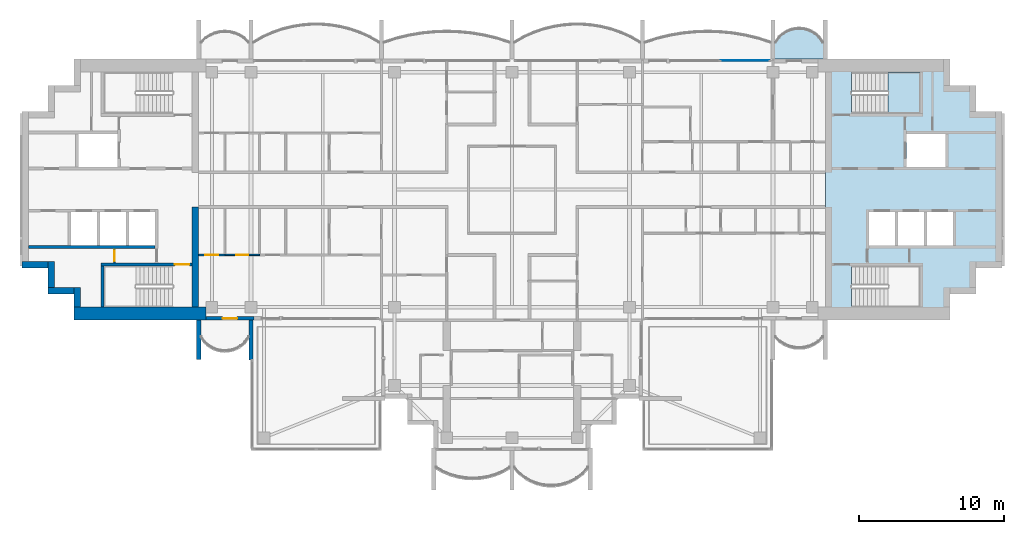
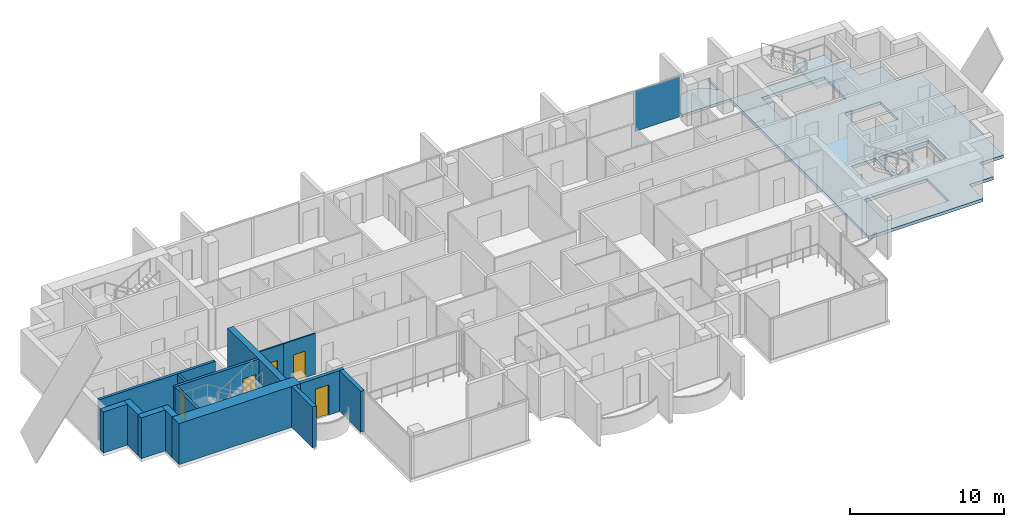
# One storey, part 6 of 17: 15 walls, 5 doors, 3 slabs, 1 plate, 5 openings, 2 elements without a shape of their own.
"""IFC4 building model written with IfcOpenShell, lengths in metres."""

from ifc_helpers import new_model, si_unit, direction, frame, frame_2d, origin, origin_2d, place, context, subcontext, project, spatial, polyline, rectangle, outline, extrude, material, layer, layer_set, type_object, element, fill, aggregate, save


model = new_model("IFC4")

# Units and contexts
model_context = context("Model", 3, precision=1e-05, world=origin(), true_north=direction((0.0, 1.0)))
body_context = subcontext(model_context, "Body", "Model", "MODEL_VIEW")
ifc_project = project(units=[si_unit("LENGTHUNIT", "METRE"), si_unit("AREAUNIT", "SQUARE_METRE"), si_unit("VOLUMEUNIT", "CUBIC_METRE"), si_unit("PLANEANGLEUNIT", "RADIAN"), si_unit("MASSUNIT", "GRAM", prefix="KILO")], contexts=[model_context])

# Site, building, storey
site_placement = place(None, origin())
site = spatial("IfcSite", under=ifc_project, at=site_placement, CompositionType="ELEMENT")
building_placement = place(site_placement, origin())
building = spatial("IfcBuilding", under=site, at=building_placement, Name="Perihelion Cross Residences", CompositionType="ELEMENT")
storey_placement = place(building_placement, frame((0.0, 0.0, 278.0)))
storey = spatial("IfcBuildingStorey", under=building, at=storey_placement, Name="L71", CompositionType="ELEMENT", Elevation=278.0)

# Slab
ifc_material_1 = material(Name="Concrete C40/50", Category="concrete")
ifc_layer_1 = layer(ifc_material_1, 0.199951171875)
ifc_layer_set_1 = layer_set([ifc_layer_1], Name="Balcony slab 200")
slab_type_1 = type_object("IfcSlabType", Name="Balcony slab 200", PredefinedType="FLOOR", material=ifc_layer_set_1)
slab_1_placement = place(storey_placement, frame((0.0, 0.0, -0.199951171875)))
element("IfcSlab", 1, at=slab_1_placement, inside=storey, type_object=slab_type_1, Name="Slab BK1 L71 east side north bay 1 balcony", PredefinedType="FLOOR", context=body_context, shape_type="SweptSolid", body=[
    extrude(outline(polyline([(21.60009765625, 9.0), (18.0, 9.0), (18.0, 11.699951171875), (18.14990234375, 11.699951171875), (18.14990234375, 10.199951171875), (18.425048828125, 10.568603515625), (18.699951171875, 10.806396484375), (18.97509765625, 10.96875), (19.25, 11.07568359375), (19.52490234375, 11.136962890625), (19.800048828125, 11.156982421875), (20.074951171875, 11.136962890625), (20.35009765625, 11.07568359375), (20.625, 10.96875), (20.89990234375, 10.806396484375), (21.175048828125, 10.568603515625), (21.449951171875, 10.199951171875), (21.449951171875, 11.699951171875), (21.60009765625, 11.699951171875), (21.60009765625, 9.0)])), origin(), (0.0, 0.0, 1.0), 0.199951171875),
])

# Curtain wall, plate
ifc_material_2 = material(Name="Bronze anodised aluminium, tinted glazing", Category="aluminium")
curtain_wall_type = type_object("IfcCurtainWallType", Name="CW1", PredefinedType="NOTDEFINED", material=ifc_material_2)
curtain_wall_placement = place(storey_placement, origin())
curtain_wall = element("IfcCurtainWall", 2, at=curtain_wall_placement, inside=storey, type_object=curtain_wall_type, Name="Curtain wall CW1 L71 east side north bay 2", PredefinedType="NOTDEFINED")
ifc_material_3 = material(Name="Tinted laminated glass", Category="glass")
ifc_layer_2 = layer(ifc_material_3, 0.028076171875)
ifc_layer_set_2 = layer_set([ifc_layer_2], Name="CW1 panel")
plate_type = type_object("IfcPlateType", Name="CW1 panel", PredefinedType="CURTAIN_PANEL", material=ifc_layer_set_2)
plate_placement = place(storey_placement, frame((16.06005859375, 8.89990234375, 0.0), z_axis=(0.0, 0.0, 1.0), x_axis=(-1.0, 0.0, 0.0)))
plate = element("IfcPlate", 3, at=plate_placement, type_object=plate_type, Name="CW1 panel 1", PredefinedType="CURTAIN_PANEL", context=body_context, shape_type="SweptSolid", body=[
    extrude(rectangle(XDim=3.360107421875, YDim=0.028076171875, at=origin_2d()), origin(), (0.0, 0.0, 1.0), 3.18994140625),
])
aggregate(curtain_wall, [plate])

# Slab
ifc_material_4 = material(Name="Concrete C40/50", Category="concrete")
ifc_layer_3 = layer(ifc_material_4, 0.25)
ifc_layer_set_3 = layer_set([ifc_layer_3], Name="Core floor slab 250")
slab_type_2 = type_object("IfcSlabType", Name="Core floor slab 250", PredefinedType="FLOOR", material=ifc_layer_set_3)
slab_2_placement = place(storey_placement, frame((0.0, 0.0, -0.25)))
element("IfcSlab", 4, at=slab_2_placement, inside=storey, type_object=slab_type_2, Name="East core floor slab", PredefinedType="FLOOR", context=body_context, shape_type="SweptSolid", body=[
    extrude(outline(polyline([(30.199951171875, 7.199951171875), (32.0, 7.199951171875), (32.0, 5.39990234375), (33.800048828125, 5.39990234375), (33.800048828125, -5.39990234375), (32.0, -5.39990234375), (32.0, -7.199951171875), (30.199951171875, -7.199951171875), (30.199951171875, -9.0), (21.60009765625, -9.0), (21.60009765625, 9.0), (30.199951171875, 9.0), (30.199951171875, 7.199951171875)]), holes=[polyline([(28.14990234375, -8.10009765625), (28.14990234375, -5.25), (23.405029296875, -5.25), (23.405029296875, -8.10009765625), (28.14990234375, -8.10009765625)]), polyline([(24.60009765625, -1.550048828125), (24.60009765625, -3.85009765625), (26.39990234375, -3.85009765625), (26.39990234375, -1.550048828125), (24.60009765625, -1.550048828125)]), polyline([(26.60009765625, -1.550048828125), (26.60009765625, -3.85009765625), (28.39990234375, -3.85009765625), (28.39990234375, -1.550048828125), (26.60009765625, -1.550048828125)]), polyline([(28.60009765625, -3.85009765625), (30.39990234375, -3.85009765625), (30.39990234375, -1.550048828125), (28.60009765625, -1.550048828125), (28.60009765625, -3.85009765625)]), polyline([(27.199951171875, 3.85009765625), (27.199951171875, 1.550048828125), (29.89990234375, 1.550048828125), (29.89990234375, 3.85009765625), (27.199951171875, 3.85009765625)]), polyline([(23.405029296875, 5.25), (28.14990234375, 5.25), (28.14990234375, 8.10009765625), (23.405029296875, 8.10009765625), (23.405029296875, 5.25)])]), origin(), (0.0, 0.0, 1.0), 0.25),
])

# Stair, slab
ifc_material_5 = material(Name="Concrete C40/50", Category="concrete")
stair_type = type_object("IfcStairType", Name="Exit stair, half-turn", PredefinedType="HALF_TURN_STAIR", material=ifc_material_5)
stair_placement = place(storey_placement, origin())
stair = element("IfcStair", 5, at=stair_placement, inside=storey, type_object=stair_type, Name="L71 East core exit stair 1", PredefinedType="HALF_TURN_STAIR")
ifc_material_6 = material(Name="Concrete C40/50", Category="concrete")
ifc_layer_4 = layer(ifc_material_6, 0.199951171875)
ifc_layer_set_4 = layer_set([ifc_layer_4], Name="Exit stair landing 200")
slab_type_3 = type_object("IfcSlabType", Name="Exit stair landing 200", PredefinedType="LANDING", material=ifc_layer_set_4)
slab_3_placement = place(storey_placement, frame((0.0, 0.0, 1.550048828125)))
slab_3 = element("IfcSlab", 6, at=slab_3_placement, type_object=slab_type_3, Name="ST-E1 landing 1", PredefinedType="LANDING", context=body_context, shape_type="SweptSolid", body=[
    extrude(outline(polyline([(25.919921875, 5.25), (28.14990234375, 5.25), (28.14990234375, 8.10009765625), (25.919921875, 8.10009765625), (25.919921875, 5.25)])), origin(), (0.0, 0.0, 1.0), 0.199951171875),
])
aggregate(stair, [slab_3])

# Wall, opening, door
ifc_material_7 = material(Name="Concrete C30/37, bronze-clad", Category="concrete")
ifc_layer_5 = layer(ifc_material_7, 0.25)
ifc_layer_set_5 = layer_set([ifc_layer_5], Name="Bronze-clad pier wall 250")
wall_type_1 = type_object("IfcWallType", Name="Bronze-clad pier wall 250", PredefinedType="SOLIDWALL", material=ifc_layer_set_5)
wall_1_placement = place(storey_placement, frame((-21.10009765625, -8.875, 0.0), z_axis=(0.0, 0.0, 1.0), x_axis=(1.0, 0.0, 0.0)))
wall_1 = element("IfcWall", 7, at=wall_1_placement, inside=storey, type_object=wall_type_1, Name="Wall FW1 L71 west side south bay 1 pier", PredefinedType="SOLIDWALL", context=body_context, shape_type="SweptSolid", body=[
    extrude(rectangle(XDim=3.300048828125, YDim=0.25, at=frame_2d((1.64990234375, 0.0))), origin(), (0.0, 0.0, 1.0), 3.25),
])
opening_1_placement = place(wall_1_placement, frame((1.14990234375, 0.0, 0.0)))
opening_1 = element("IfcOpeningElement", 8, at=opening_1_placement, cuts=wall_1, Name="Opening L71.E07", PredefinedType="OPENING", context=body_context, shape_type="SweptSolid", body=[
    extrude(rectangle(XDim=1.0, YDim=2.39990234375, at=frame_2d((0.5, 1.199951171875))), frame((0.0, 0.135009765625, 0.0), z_axis=(0.0, -1.0, 0.0), x_axis=(1.0, 0.0, 0.0)), (0.0, 0.0, 1.0), 0.27001953125),
])
ifc_material_8 = material(Name="Bronze anodised aluminium, glazed", Category="aluminium")
door_type_1 = type_object("IfcDoorType", Name="Balcony door 1000 x 2400", OperationType="NOTDEFINED", PredefinedType="DOOR", material=ifc_material_8)
door_1_placement = place(opening_1_placement, origin())
door_1 = element("IfcDoor", 9, at=door_1_placement, inside=storey, type_object=door_type_1, Name="Door L71.E07 west side south bay 1", OperationType="SINGLE_SWING_LEFT", OverallHeight=2.39990234375, OverallWidth=1.0, PredefinedType="DOOR", context=body_context, shape_type="SweptSolid", body=[
    extrude(rectangle(XDim=1.0, YDim=2.39990234375, at=frame_2d((0.5, 1.199951171875))), frame((0.0, 0.02490234375, 0.0), z_axis=(0.0, -1.0, 0.0), x_axis=(1.0, 0.0, 0.0)), (0.0, 0.0, 1.0), 0.050048828125),
])
fill(opening_1, door_1)

# Walls
ifc_material_9 = material(Name="Concrete C60/75", Category="concrete")
ifc_layer_6 = layer(ifc_material_9, 0.449951171875)
ifc_layer_set_6 = layer_set([ifc_layer_6], Name="Core wall, inner 450")
wall_type_2 = type_object("IfcWallType", Name="Core wall, inner 450", PredefinedType="SHEAR", material=ifc_layer_set_6)
wall_2_placement = place(storey_placement, frame((-21.824951171875, -8.10009765625, 0.0), z_axis=(0.0, 0.0, 1.0), x_axis=(0.0, 1.0, 0.0)))
element("IfcWall", 10, at=wall_2_placement, inside=storey, type_object=wall_type_2, Name="West core core wall, inner", PredefinedType="SHEAR", context=body_context, shape_type="SweptSolid", body=[
    extrude(rectangle(XDim=6.900146484375, YDim=0.449951171875, at=frame_2d((3.4501953125, 0.0))), origin(), (0.0, 0.0, 1.0), 3.25),
])
ifc_material_10 = material(Name="Concrete C60/75", Category="concrete")
ifc_layer_7 = layer(ifc_material_10, 0.449951171875)
ifc_layer_set_7 = layer_set([ifc_layer_7], Name="Core wall, outer 450")
wall_type_3 = type_object("IfcWallType", Name="Core wall, outer 450", PredefinedType="SHEAR", material=ifc_layer_set_7)
wall_3_placement = place(storey_placement, frame((-29.97509765625, -8.10009765625, 0.0), z_axis=(0.0, 0.0, 1.0), x_axis=(0.0, 1.0, 0.0)))
element("IfcWall", 11, at=wall_3_placement, inside=storey, type_object=wall_type_3, Name="West core core wall, outer", PredefinedType="SHEAR", context=body_context, shape_type="SweptSolid", body=[
    extrude(rectangle(XDim=1.35009765625, YDim=0.449951171875, at=frame_2d((0.675048828125, 0.0))), origin(), (0.0, 0.0, 1.0), 3.25),
])
for number, where, z_axis, x_axis, name in (
    (12, (-32.0, -6.97509765625, 0.0), (0.0, 0.0, 1.0), (1.0, 0.0, 0.0), "West core core wall, outer"),
    (13, (-31.77490234375, -6.75, 0.0), (0.0, 0.0, 1.0), (0.0, 1.0, 0.0), "West core core wall, outer"),
    (14, (-33.800048828125, -5.175048828125, 0.0), (0.0, 0.0, 1.0), (1.0, 0.0, 0.0), "West core core wall, outer"),
):
    element("IfcWall", number, at=place(storey_placement, frame(where, z_axis=z_axis, x_axis=x_axis)), inside=storey, type_object=wall_type_3, Name=name, PredefinedType="SHEAR", context=body_context, shape_type="SweptSolid", body=[
        extrude(rectangle(XDim=1.800048828125, YDim=0.449951171875, at=frame_2d((0.89990234375, 0.0))), origin(), (0.0, 0.0, 1.0), 3.25),
    ])
ifc_material_11 = material(Name="Concrete C60/75", Category="concrete")
ifc_layer_8 = layer(ifc_material_11, 0.89990234375)
ifc_layer_set_8 = layer_set([ifc_layer_8], Name="Core wall, outer 900")
wall_type_4 = type_object("IfcWallType", Name="Core wall, outer 900", PredefinedType="SHEAR", material=ifc_layer_set_8)
wall_4_placement = place(storey_placement, frame((-30.199951171875, -8.550048828125, 0.0), z_axis=(0.0, 0.0, 1.0), x_axis=(1.0, 0.0, 0.0)))
element("IfcWall", 15, at=wall_4_placement, inside=storey, type_object=wall_type_4, Name="West core core wall, outer", PredefinedType="SHEAR", context=body_context, shape_type="SweptSolid", body=[
    extrude(rectangle(XDim=9.099853515625, YDim=0.89990234375, at=frame_2d((4.5498046875, 0.0))), origin(), (0.0, 0.0, 1.0), 3.25),
])

# Wall, opening, door
ifc_material_12 = material(Name="Plasterboard partition")
ifc_layer_9 = layer(ifc_material_12, 0.1201171875)
ifc_layer_set_9 = layer_set([ifc_layer_9], Name="Partition wall 120")
wall_type_5 = type_object("IfcWallType", Name="Partition wall 120", PredefinedType="PARTITIONING", material=ifc_layer_set_9)
wall_5_placement = place(storey_placement, frame((-19.800048828125, -4.5, 0.0), z_axis=(0.0, 0.0, 1.0), x_axis=(-1.0, 0.0, 0.0)))
wall_5 = element("IfcWall", 16, at=wall_5_placement, inside=storey, type_object=wall_type_5, Name="Partition L71 W064", PredefinedType="PARTITIONING", context=body_context, shape_type="SweptSolid", body=[
    extrude(rectangle(XDim=1.800048828125, YDim=0.1201171875, at=frame_2d((0.89990234375, 0.0))), origin(), (0.0, 0.0, 1.0), 3.25),
])
opening_2_placement = place(wall_5_placement, frame((0.449951171875, 0.0, 0.0)))
opening_2 = element("IfcOpeningElement", 17, at=opening_2_placement, cuts=wall_5, Name="Opening L71.A29", PredefinedType="OPENING", context=body_context, shape_type="SweptSolid", body=[
    extrude(rectangle(XDim=0.89990234375, YDim=2.10009765625, at=frame_2d((0.449951171875, 1.050048828125))), frame((0.0, 0.070068359375, 0.0), z_axis=(0.0, -1.0, 0.0), x_axis=(1.0, 0.0, 0.0)), (0.0, 0.0, 1.0), 0.14013671875),
])
ifc_material_13 = material(Name="Timber door leaf", Category="wood")
door_type_2 = type_object("IfcDoorType", Name="Interior room door 900 x 2100", OperationType="SINGLE_SWING_LEFT", PredefinedType="DOOR", material=ifc_material_13)
door_2_placement = place(opening_2_placement, origin())
door_2 = element("IfcDoor", 18, at=door_2_placement, inside=storey, type_object=door_type_2, Name="Door L71.A29", OperationType="SINGLE_SWING_LEFT", OverallHeight=2.10009765625, OverallWidth=0.89990234375, PredefinedType="DOOR", context=body_context, shape_type="SweptSolid", body=[
    extrude(rectangle(XDim=0.89990234375, YDim=2.10009765625, at=frame_2d((0.449951171875, 1.050048828125))), frame((0.0, 0.02490234375, 0.0), z_axis=(0.0, -1.0, 0.0), x_axis=(1.0, 0.0, 0.0)), (0.0, 0.0, 1.0), 0.050048828125),
])
fill(opening_2, door_2)

# Walls
ifc_material_14 = material(Name="Precast concrete C50/60", Category="concrete")
ifc_layer_10 = layer(ifc_material_14, 0.300048828125)
ifc_layer_set_10 = layer_set([ifc_layer_10], Name="Precast concrete C50/60 blade wall 300")
wall_type_6 = type_object("IfcWallType", Name="Precast concrete C50/60 blade wall 300", PredefinedType="SOLIDWALL", material=ifc_layer_set_10)
wall_6_placement = place(storey_placement, frame((-21.60009765625, -9.0, 0.0), z_axis=(0.0, 0.0, 1.0), x_axis=(0.0, -1.0, 0.0)))
element("IfcWall", 19, at=wall_6_placement, inside=storey, type_object=wall_type_6, Name="Wall BL1 L71 no. 3", PredefinedType="SOLIDWALL", context=body_context, shape_type="SweptSolid", body=[
    extrude(rectangle(XDim=2.699951171875, YDim=0.300048828125, at=frame_2d((1.35009765625, 0.0))), origin(), (0.0, 0.0, 1.0), 3.25),
])
wall_7_placement = place(storey_placement, frame((-18.0, -9.0, 0.0), z_axis=(0.0, 0.0, 1.0), x_axis=(0.0, -1.0, 0.0)))
element("IfcWall", 20, at=wall_7_placement, inside=storey, type_object=wall_type_6, Name="Wall BL1 L71 no. 1", PredefinedType="SOLIDWALL", context=body_context, shape_type="SweptSolid", body=[
    extrude(rectangle(XDim=2.739990234375, YDim=0.300048828125, at=frame_2d((1.3701171875, 0.0))), origin(), (0.0, 0.0, 1.0), 3.25),
])

# Wall, opening, door
ifc_material_15 = material(Name="Fire-rated board on steel stud", Category="steel")
ifc_layer_11 = layer(ifc_material_15, 0.14990234375)
ifc_layer_set_11 = layer_set([ifc_layer_11], Name="Riser wall 150")
wall_type_7 = type_object("IfcWallType", Name="Riser wall 150", PredefinedType="PARTITIONING", material=ifc_layer_set_11)
wall_8_placement = place(storey_placement, frame((-27.39990234375, -5.050048828125, 0.0), z_axis=(0.0, 0.0, 1.0), x_axis=(0.0, 1.0, 0.0)))
wall_8 = element("IfcWall", 21, at=wall_8_placement, inside=storey, type_object=wall_type_7, Name="West core riser wall", PredefinedType="PARTITIONING", context=body_context, shape_type="SweptSolid", body=[
    extrude(rectangle(XDim=1.0, YDim=0.14990234375, at=frame_2d((0.5, 0.0))), origin(), (0.0, 0.0, 1.0), 3.25),
])
opening_3_placement = place(wall_8_placement, frame((0.10009765625, 0.0, 0.0)))
opening_3 = element("IfcOpeningElement", 22, at=opening_3_placement, cuts=wall_8, Name="Opening L71.C25", PredefinedType="OPENING", context=body_context, shape_type="SweptSolid", body=[
    extrude(rectangle(XDim=0.800048828125, YDim=2.10009765625, at=frame_2d((0.39990234375, 1.050048828125))), frame((0.0, 0.0849609375, 0.0), z_axis=(0.0, -1.0, 0.0), x_axis=(1.0, 0.0, 0.0)), (0.0, 0.0, 1.0), 0.169921875),
])
ifc_material_16 = material(Name="Steel, powder coated", Category="steel")
door_type_3 = type_object("IfcDoorType", Name="Riser door 800", OperationType="SINGLE_SWING_LEFT", PredefinedType="DOOR", material=ifc_material_16)
door_3_placement = place(opening_3_placement, origin())
door_3 = element("IfcDoor", 23, at=door_3_placement, inside=storey, type_object=door_type_3, Name="West core riser door", OperationType="SINGLE_SWING_LEFT", OverallHeight=2.10009765625, OverallWidth=0.800048828125, PredefinedType="DOOR", context=body_context, shape_type="SweptSolid", body=[
    extrude(rectangle(XDim=0.800048828125, YDim=2.10009765625, at=frame_2d((0.39990234375, 1.050048828125))), frame((0.0, 0.02490234375, 0.0), z_axis=(0.0, -1.0, 0.0), x_axis=(1.0, 0.0, 0.0)), (0.0, 0.0, 1.0), 0.050048828125),
])
fill(opening_3, door_3)

# Wall
ifc_material_17 = material(Name="Concrete C50/60", Category="concrete")
ifc_layer_12 = layer(ifc_material_17, 0.199951171875)
ifc_layer_set_12 = layer_set([ifc_layer_12], Name="Shaft wall 200")
wall_type_8 = type_object("IfcWallType", Name="Shaft wall 200", PredefinedType="SOLIDWALL", material=ifc_layer_set_12)
wall_9_placement = place(storey_placement, frame((-33.35009765625, -3.949951171875, 0.0), z_axis=(0.0, 0.0, 1.0), x_axis=(1.0, 0.0, 0.0)))
element("IfcWall", 24, at=wall_9_placement, inside=storey, type_object=wall_type_8, Name="West core shaft wall", PredefinedType="SOLIDWALL", context=body_context, shape_type="SweptSolid", body=[
    extrude(rectangle(XDim=8.75, YDim=0.199951171875, at=frame_2d((4.375, 0.0))), origin(), (0.0, 0.0, 1.0), 3.25),
])

# Wall, opening, door
ifc_material_18 = material(Name="Concrete C50/60", Category="concrete")
ifc_layer_13 = layer(ifc_material_18, 0.199951171875)
ifc_layer_set_13 = layer_set([ifc_layer_13], Name="Stair wall 200")
wall_type_9 = type_object("IfcWallType", Name="Stair wall 200", PredefinedType="SOLIDWALL", material=ifc_layer_set_13)
wall_10_placement = place(storey_placement, frame((-28.35009765625, -5.14990234375, 0.0), z_axis=(0.0, 0.0, 1.0), x_axis=(1.0, 0.0, 0.0)))
wall_10 = element("IfcWall", 25, at=wall_10_placement, inside=storey, type_object=wall_type_9, Name="West core stair wall", PredefinedType="SOLIDWALL", context=body_context, shape_type="SweptSolid", body=[
    extrude(rectangle(XDim=6.300048828125, YDim=0.199951171875, at=frame_2d((3.14990234375, 0.0))), origin(), (0.0, 0.0, 1.0), 3.25),
])
opening_4_placement = place(wall_10_placement, frame((5.10009765625, 0.0, 0.0)))
opening_4 = element("IfcOpeningElement", 26, at=opening_4_placement, cuts=wall_10, Name="Opening L71.C19", PredefinedType="OPENING", context=body_context, shape_type="SweptSolid", body=[
    extrude(rectangle(XDim=1.0, YDim=2.10009765625, at=frame_2d((0.5, 1.050048828125))), frame((0.0, 0.10986328125, 0.0), z_axis=(0.0, -1.0, 0.0), x_axis=(1.0, 0.0, 0.0)), (0.0, 0.0, 1.0), 0.219970703125),
])
ifc_material_19 = material(Name="Steel, powder coated", Category="steel")
door_type_4 = type_object("IfcDoorType", Name="Stair door 1000", OperationType="SINGLE_SWING_LEFT", PredefinedType="DOOR", material=ifc_material_19)
door_4_placement = place(opening_4_placement, origin())
door_4 = element("IfcDoor", 27, at=door_4_placement, inside=storey, type_object=door_type_4, Name="West core stair door", OperationType="SINGLE_SWING_LEFT", OverallHeight=2.10009765625, OverallWidth=1.0, PredefinedType="DOOR", context=body_context, shape_type="SweptSolid", body=[
    extrude(rectangle(XDim=1.0, YDim=2.10009765625, at=frame_2d((0.5, 1.050048828125))), frame((0.0, 0.02490234375, 0.0), z_axis=(0.0, -1.0, 0.0), x_axis=(1.0, 0.0, 0.0)), (0.0, 0.0, 1.0), 0.050048828125),
])
fill(opening_4, door_4)

# Wall
wall_11_placement = place(storey_placement, frame((-28.25, -8.10009765625, 0.0), z_axis=(0.0, 0.0, 1.0), x_axis=(0.0, 1.0, 0.0)))
element("IfcWall", 28, at=wall_11_placement, inside=storey, type_object=wall_type_9, Name="West core stair wall", PredefinedType="SOLIDWALL", context=body_context, shape_type="SweptSolid", body=[
    extrude(rectangle(XDim=2.85009765625, YDim=0.199951171875, at=frame_2d((1.425048828125, 0.0))), origin(), (0.0, 0.0, 1.0), 3.25),
])

# Wall, opening, door
ifc_material_20 = material(Name="Plasterboard partition")
ifc_layer_14 = layer(ifc_material_20, 0.10009765625)
ifc_layer_set_14 = layer_set([ifc_layer_14], Name="Wet room wall 100")
wall_type_10 = type_object("IfcWallType", Name="Wet room wall 100", PredefinedType="PARTITIONING", material=ifc_layer_set_14)
wall_12_placement = place(storey_placement, frame((-17.39990234375, -4.5, 0.0), z_axis=(0.0, 0.0, 1.0), x_axis=(-1.0, 0.0, 0.0)))
wall_12 = element("IfcWall", 29, at=wall_12_placement, inside=storey, type_object=wall_type_10, Name="Partition L71 W063", PredefinedType="PARTITIONING", context=body_context, shape_type="SweptSolid", body=[
    extrude(rectangle(XDim=2.400146484375, YDim=0.10009765625, at=frame_2d((1.2001953125, 0.0))), origin(), (0.0, 0.0, 1.0), 3.25),
])
opening_5_placement = place(wall_12_placement, frame((0.77490234375, 0.0, 0.0)))
opening_5 = element("IfcOpeningElement", 30, at=opening_5_placement, cuts=wall_12, Name="Opening L71.A27", PredefinedType="OPENING", context=body_context, shape_type="SweptSolid", body=[
    extrude(rectangle(XDim=0.85009765625, YDim=2.10009765625, at=frame_2d((0.425048828125, 1.050048828125))), frame((0.0, 0.06005859375, 0.0), z_axis=(0.0, -1.0, 0.0), x_axis=(1.0, 0.0, 0.0)), (0.0, 0.0, 1.0), 0.1201171875),
])
ifc_material_21 = material(Name="Timber door leaf", Category="wood")
door_type_5 = type_object("IfcDoorType", Name="Interior bathroom door 850 x 2100", OperationType="SINGLE_SWING_LEFT", PredefinedType="DOOR", material=ifc_material_21)
door_5_placement = place(opening_5_placement, origin())
door_5 = element("IfcDoor", 31, at=door_5_placement, inside=storey, type_object=door_type_5, Name="Door L71.A27", OperationType="SINGLE_SWING_RIGHT", OverallHeight=2.10009765625, OverallWidth=0.85009765625, PredefinedType="DOOR", context=body_context, shape_type="SweptSolid", body=[
    extrude(rectangle(XDim=0.85009765625, YDim=2.10009765625, at=frame_2d((0.425048828125, 1.050048828125))), frame((0.0, 0.02490234375, 0.0), z_axis=(0.0, -1.0, 0.0), x_axis=(1.0, 0.0, 0.0)), (0.0, 0.0, 1.0), 0.050048828125),
])
fill(opening_5, door_5)

save(model, "model.ifc")
